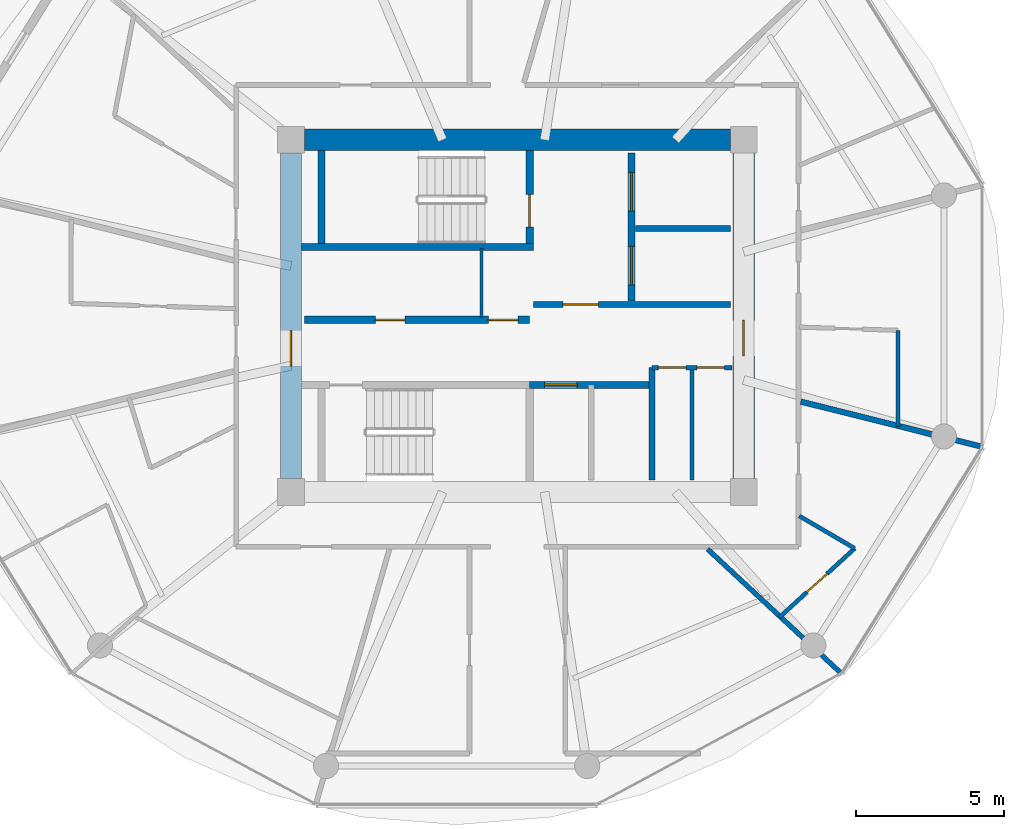
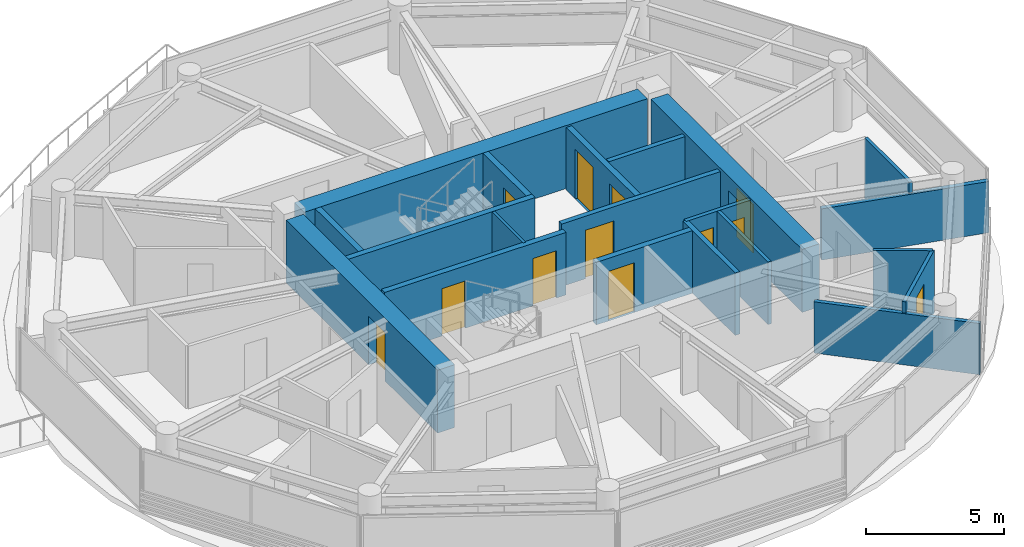
# One storey, part 17 of 22: 20 walls, 12 doors, 12 openings.
"""IFC4 building model written with IfcOpenShell, lengths in metres."""

from ifc_helpers import new_model, si_unit, direction, frame, frame_2d, origin, place, context, subcontext, project, spatial, rectangle, extrude, source, transform, mapped, material, layer, layer_set, type_object, type_shapes, element, fill, save


model = new_model("IFC4")

# Units and contexts
model_context = context("Model", 3, precision=1e-05, world=origin(), true_north=direction((0.0, 1.0)))
body_context = subcontext(model_context, "Body", "Model", "MODEL_VIEW")
ifc_project = project(units=[si_unit("LENGTHUNIT", "METRE"), si_unit("AREAUNIT", "SQUARE_METRE"), si_unit("VOLUMEUNIT", "CUBIC_METRE"), si_unit("PLANEANGLEUNIT", "RADIAN"), si_unit("MASSUNIT", "GRAM", prefix="KILO")], contexts=[model_context])

# Site, building, storey
site_placement = place(None, origin())
site = spatial("IfcSite", under=ifc_project, at=site_placement, CompositionType="ELEMENT")
building_placement = place(site_placement, origin())
building = spatial("IfcBuilding", under=site, at=building_placement, Name="Norrkilde Senior Care Towers", CompositionType="ELEMENT")
storey_placement = place(building_placement, frame((0.0, 0.0, 123.699951171875)))
storey = spatial("IfcBuildingStorey", under=building, at=storey_placement, Name="L38", CompositionType="ELEMENT", Elevation=123.699951171875)

# Wall
ifc_material_1 = material(Name="Concrete C60/75", Category="concrete")
ifc_layer_1 = layer(ifc_material_1, 0.719970703125)
ifc_layer_set_1 = layer_set([ifc_layer_1], Name="Concrete C60/75")
wall_type_1 = type_object("IfcWallType", Name="Core Shear Wall Z2 720", PredefinedType="SHEAR", material=ifc_layer_set_1)
shared_shape_1 = source(origin(), body_context, "Body", "SweptSolid", [
    extrude(rectangle(XDim=14.39990234375, YDim=0.719970703125, at=frame_2d((7.199951171875, 0.0))), origin(), (0.0, 0.0, 1.0), 2.7900390625),
])
wall_1_placement = place(storey_placement, frame((20.800048828125, 5.949951171875, 0.0), z_axis=(0.0, 0.0, 1.0), x_axis=(1.0, 0.0, 0.0)))
element("IfcWall", 1, at=wall_1_placement, inside=storey, type_object=wall_type_1, Name="L38 Core E North Shear Wall", PredefinedType="SHEAR", context=body_context, shape_type="MappedRepresentation", body=[
    mapped(shared_shape_1, transform((0.0, 0.0, 0.0), x_axis=(1.0, 0.0, 0.0), y_axis=(0.0, 1.0, 0.0), z_axis=(0.0, 0.0, 1.0), scale=1.0)),
])

# Wall, opening, door
shared_shape_2 = source(origin(), body_context, "Body", "SweptSolid", [
    extrude(rectangle(XDim=11.0, YDim=0.719970703125, at=frame_2d((5.5, 0.0))), origin(), (0.0, 0.0, 1.0), 2.7900390625),
])
type_shapes(wall_type_1, [shared_shape_1, shared_shape_2])
wall_2_placement = place(storey_placement, frame((20.35009765625, -5.5, 0.0), z_axis=(0.0, 0.0, 1.0), x_axis=(0.0, 1.0, 0.0)))
wall_2 = element("IfcWall", 2, at=wall_2_placement, inside=storey, type_object=wall_type_1, Name="L38 Core E West Shear Wall", PredefinedType="SHEAR", context=body_context, shape_type="MappedRepresentation", body=[
    mapped(shared_shape_2, transform((0.0, 0.0, 0.0), x_axis=(1.0, 0.0, 0.0), y_axis=(0.0, 1.0, 0.0), z_axis=(0.0, 0.0, 1.0), scale=1.0)),
])
opening_1_placement = place(wall_2_placement, frame((3.800048828125, 0.0, 0.0)))
opening_1 = element("IfcOpeningElement", 3, at=opening_1_placement, cuts=wall_2, Name="Opening D-04", PredefinedType="OPENING", context=body_context, shape_type="SweptSolid", body=[
    extrude(rectangle(XDim=1.199951171875, YDim=2.14990234375, at=frame_2d((0.60009765625, 1.074951171875))), frame((0.0, 0.369873046875, 0.0), z_axis=(0.0, -1.0, 0.0), x_axis=(1.0, 0.0, 0.0)), (0.0, 0.0, 1.0), 0.739990234375),
])
ifc_material_2 = material(Name="Galvanised Painted Steel", Category="steel")
door_type_1 = type_object("IfcDoorType", Name="Firefighting Lobby Fire Door 1200x2150", OperationType="NOTDEFINED", PredefinedType="DOOR", material=ifc_material_2)
shared_shape_3 = source(origin(), body_context, "Body", "SweptSolid", [
    extrude(rectangle(XDim=1.199951171875, YDim=2.14990234375, at=frame_2d((0.60009765625, 1.074951171875))), frame((0.0, 0.02490234375, 0.0), z_axis=(0.0, -1.0, 0.0), x_axis=(1.0, 0.0, 0.0)), (0.0, 0.0, 1.0), 0.050048828125),
])
type_shapes(door_type_1, [shared_shape_3])
door_1_placement = place(opening_1_placement, frame((1.199951171875, 0.0, 0.0), z_axis=(0.0, 0.0, 1.0), x_axis=(-1.0, 0.0, 0.0)))
door_1 = element("IfcDoor", 4, at=door_1_placement, inside=storey, type_object=door_type_1, Name="L38 Core E West Portal Door", OperationType="SINGLE_SWING_LEFT", OverallHeight=2.14990234375, OverallWidth=1.199951171875, PredefinedType="DOOR", context=body_context, shape_type="MappedRepresentation", body=[
    mapped(shared_shape_3, transform((0.0, 0.0, 0.0), x_axis=(1.0, 0.0, 0.0), y_axis=(0.0, 1.0, 0.0), z_axis=(0.0, 0.0, 1.0), scale=1.0)),
])
fill(opening_1, door_1)

wall_3_placement = place(storey_placement, frame((35.64990234375, 5.5, 0.0), z_axis=(0.0, 0.0, 1.0), x_axis=(0.0, -1.0, 0.0)))
wall_3 = element("IfcWall", 5, at=wall_3_placement, inside=storey, type_object=wall_type_1, Name="L38 Core E East Shear Wall", PredefinedType="SHEAR", context=body_context, shape_type="MappedRepresentation", body=[
    mapped(shared_shape_2, transform((0.0, 0.0, 0.0), x_axis=(1.0, 0.0, 0.0), y_axis=(0.0, 1.0, 0.0), z_axis=(0.0, 0.0, 1.0), scale=1.0)),
])
opening_2_placement = place(wall_3_placement, frame((5.64990234375, 0.0, 0.0)))
opening_2 = element("IfcOpeningElement", 6, at=opening_2_placement, cuts=wall_3, Name="Opening D-04", PredefinedType="OPENING", context=body_context, shape_type="SweptSolid", body=[
    extrude(rectangle(XDim=1.199951171875, YDim=2.14990234375, at=frame_2d((0.60009765625, 1.074951171875))), frame((0.0, 0.369873046875, 0.0), z_axis=(0.0, -1.0, 0.0), x_axis=(1.0, 0.0, 0.0)), (0.0, 0.0, 1.0), 0.739990234375),
])
door_2_placement = place(opening_2_placement, frame((1.199951171875, 0.0, 0.0), z_axis=(0.0, 0.0, 1.0), x_axis=(-1.0, 0.0, 0.0)))
door_2 = element("IfcDoor", 7, at=door_2_placement, inside=storey, type_object=door_type_1, Name="L38 Core E East Portal Door", OperationType="SINGLE_SWING_RIGHT", OverallHeight=2.14990234375, OverallWidth=1.199951171875, PredefinedType="DOOR", context=body_context, shape_type="MappedRepresentation", body=[
    mapped(shared_shape_3, transform((0.0, 0.0, 0.0), x_axis=(1.0, 0.0, 0.0), y_axis=(0.0, 1.0, 0.0), z_axis=(0.0, 0.0, 1.0), scale=1.0)),
])
fill(opening_2, door_2)

# Wall, openings, doors
ifc_material_3 = material(Name="Concrete C45/55", Category="concrete")
ifc_layer_2 = layer(ifc_material_3, 0.239990234375)
ifc_layer_set_2 = layer_set([ifc_layer_2], Name="Concrete C45/55")
wall_type_2 = type_object("IfcWallType", Name="Lift and Plant Rated Enclosure Partition 240", PredefinedType="PARTITIONING", material=ifc_layer_set_2)
shared_shape_4 = source(origin(), body_context, "Body", "SweptSolid", [
    extrude(rectangle(XDim=5.0, YDim=0.239990234375, at=frame_2d((2.5, 0.0))), origin(), (0.0, 0.0, 1.0), 2.775146484375),
])
wall_4_placement = place(storey_placement, frame((31.860107421875, 0.5, 0.0), z_axis=(0.0, 0.0, 1.0), x_axis=(0.0, 1.0, 0.0)))
wall_4 = element("IfcWall", 8, at=wall_4_placement, inside=storey, type_object=wall_type_2, Name="WL-INT-L38-E-FFLE", PredefinedType="PARTITIONING", context=body_context, shape_type="MappedRepresentation", body=[
    mapped(shared_shape_4, transform((0.0, 0.0, 0.0), x_axis=(1.0, 0.0, 0.0), y_axis=(0.0, 1.0, 0.0), z_axis=(0.0, 0.0, 1.0), scale=1.0)),
])
opening_3_placement = place(wall_4_placement, frame((3.050048828125, 0.0, 0.0)))
opening_3 = element("IfcOpeningElement", 9, at=opening_3_placement, cuts=wall_4, Name="Opening LD-02", PredefinedType="OPENING", context=body_context, shape_type="SweptSolid", body=[
    extrude(rectangle(XDim=1.300048828125, YDim=2.199951171875, at=frame_2d((0.64990234375, 1.10009765625))), frame((0.0, 0.1298828125, 0.0), z_axis=(0.0, -1.0, 0.0), x_axis=(1.0, 0.0, 0.0)), (0.0, 0.0, 1.0), 0.260009765625),
])
opening_4_placement = place(wall_4_placement, frame((0.550048828125, 0.0, 0.0)))
opening_4 = element("IfcOpeningElement", 10, at=opening_4_placement, cuts=wall_4, Name="Opening LD-02", PredefinedType="OPENING", context=body_context, shape_type="SweptSolid", body=[
    extrude(rectangle(XDim=1.300048828125, YDim=2.199951171875, at=frame_2d((0.64990234375, 1.10009765625))), frame((0.0, 0.1298828125, 0.0), z_axis=(0.0, -1.0, 0.0), x_axis=(1.0, 0.0, 0.0)), (0.0, 0.0, 1.0), 0.260009765625),
])
ifc_material_4 = material(Name="Stainless Steel", Category="steel")
door_type_2 = type_object("IfcDoorType", Name="Stretcher and FFL Landing Sliding Door 1300x2200", OperationType="NOTDEFINED", PredefinedType="DOOR", material=ifc_material_4)
shared_shape_5 = source(origin(), body_context, "Body", "SweptSolid", [
    extrude(rectangle(XDim=1.300048828125, YDim=2.199951171875, at=frame_2d((0.64990234375, 1.10009765625))), frame((0.0, 0.02490234375, 0.0), z_axis=(0.0, -1.0, 0.0), x_axis=(1.0, 0.0, 0.0)), (0.0, 0.0, 1.0), 0.050048828125),
])
type_shapes(door_type_2, [shared_shape_5])
door_3_placement = place(opening_3_placement, origin())
door_3 = element("IfcDoor", 11, at=door_3_placement, inside=storey, type_object=door_type_2, Name="L38 Firefighting Lift E1 Landing Door", OperationType="SLIDING_TO_LEFT", OverallHeight=2.199951171875, OverallWidth=1.300048828125, PredefinedType="DOOR", context=body_context, shape_type="MappedRepresentation", body=[
    mapped(shared_shape_5, transform((0.0, 0.0, 0.0), x_axis=(1.0, 0.0, 0.0), y_axis=(0.0, 1.0, 0.0), z_axis=(0.0, 0.0, 1.0), scale=1.0)),
])
fill(opening_3, door_3)
door_4_placement = place(opening_4_placement, origin())
door_4 = element("IfcDoor", 12, at=door_4_placement, inside=storey, type_object=door_type_2, Name="L38 Stretcher Lift E1 Landing Door", OperationType="SLIDING_TO_RIGHT", OverallHeight=2.199951171875, OverallWidth=1.300048828125, PredefinedType="DOOR", context=body_context, shape_type="MappedRepresentation", body=[
    mapped(shared_shape_5, transform((0.0, 0.0, 0.0), x_axis=(1.0, 0.0, 0.0), y_axis=(0.0, 1.0, 0.0), z_axis=(0.0, 0.0, 1.0), scale=1.0)),
])
fill(opening_4, door_4)

# Wall
ifc_layer_3 = layer(ifc_material_3, 0.199951171875)
ifc_layer_set_3 = layer_set([ifc_layer_3], Name="Concrete C45/55")
wall_type_3 = type_object("IfcWallType", Name="Shaft Division and Plant Partition 200", PredefinedType="PARTITIONING", material=ifc_layer_set_3)
shared_shape_6 = source(origin(), body_context, "Body", "SweptSolid", [
    extrude(rectangle(XDim=3.199951171875, YDim=0.199951171875, at=frame_2d((1.60009765625, 0.0))), origin(), (0.0, 0.0, 1.0), 2.775146484375),
])
wall_5_placement = place(storey_placement, frame((32.0, 2.949951171875, 0.0), z_axis=(0.0, 0.0, 1.0), x_axis=(1.0, 0.0, 0.0)))
element("IfcWall", 13, at=wall_5_placement, inside=storey, type_object=wall_type_3, Name="WL-INT-L38-E-FFLDIV", PredefinedType="PARTITIONING", context=body_context, shape_type="MappedRepresentation", body=[
    mapped(shared_shape_6, transform((0.0, 0.0, 0.0), x_axis=(1.0, 0.0, 0.0), y_axis=(0.0, 1.0, 0.0), z_axis=(0.0, 0.0, 1.0), scale=1.0)),
])

# Wall, opening, door
ifc_layer_4 = layer(ifc_material_3, 0.2099609375)
ifc_layer_set_4 = layer_set([ifc_layer_4], Name="Concrete C45/55")
wall_type_4 = type_object("IfcWallType", Name="Firefighting Lobby Wall 210", PredefinedType="PARTITIONING", material=ifc_layer_set_4)
shared_shape_7 = source(origin(), body_context, "Body", "SweptSolid", [
    extrude(rectangle(XDim=6.659912109375, YDim=0.2099609375, at=frame_2d((3.330078125, 0.0))), origin(), (0.0, 0.0, 1.0), 2.775146484375),
])
type_shapes(wall_type_4, [shared_shape_7])
wall_6_placement = place(storey_placement, frame((28.5400390625, 0.389892578125, 0.0), z_axis=(0.0, 0.0, 1.0), x_axis=(1.0, 0.0, 0.0)))
wall_6 = element("IfcWall", 14, at=wall_6_placement, inside=storey, type_object=wall_type_4, Name="WL-INT-L38-E-FFLS", PredefinedType="PARTITIONING", context=body_context, shape_type="MappedRepresentation", body=[
    mapped(shared_shape_7, transform((0.0, 0.0, 0.0), x_axis=(1.0, 0.0, 0.0), y_axis=(0.0, 1.0, 0.0), z_axis=(0.0, 0.0, 1.0), scale=1.0)),
])
opening_5_placement = place(wall_6_placement, frame((1.0, 0.0, 0.0)))
opening_5 = element("IfcOpeningElement", 15, at=opening_5_placement, cuts=wall_6, Name="Opening D-04", PredefinedType="OPENING", context=body_context, shape_type="SweptSolid", body=[
    extrude(rectangle(XDim=1.199951171875, YDim=2.14990234375, at=frame_2d((0.60009765625, 1.074951171875))), frame((0.0, 0.114990234375, 0.0), z_axis=(0.0, -1.0, 0.0), x_axis=(1.0, 0.0, 0.0)), (0.0, 0.0, 1.0), 0.22998046875),
])
door_5_placement = place(opening_5_placement, frame((1.199951171875, 0.0, 0.0), z_axis=(0.0, 0.0, 1.0), x_axis=(-1.0, 0.0, 0.0)))
door_5 = element("IfcDoor", 16, at=door_5_placement, inside=storey, type_object=door_type_1, Name="L38 Firefighting Lobby E Door", OperationType="SINGLE_SWING_LEFT", OverallHeight=2.14990234375, OverallWidth=1.199951171875, PredefinedType="DOOR", context=body_context, shape_type="MappedRepresentation", body=[
    mapped(shared_shape_3, transform((0.0, 0.0, 0.0), x_axis=(1.0, 0.0, 0.0), y_axis=(0.0, 1.0, 0.0), z_axis=(0.0, 0.0, 1.0), scale=1.0)),
])
fill(opening_5, door_5)

# Wall, openings, doors
shared_shape_8 = source(origin(), body_context, "Body", "SweptSolid", [
    extrude(rectangle(XDim=7.619873046875, YDim=0.239990234375, at=frame_2d((3.81005859375, 0.0))), origin(), (0.0, 0.0, 1.0), 2.775146484375),
])
wall_7_placement = place(storey_placement, frame((20.800048828125, -0.1298828125, 0.0), z_axis=(0.0, 0.0, 1.0), x_axis=(1.0, 0.0, 0.0)))
wall_7 = element("IfcWall", 17, at=wall_7_placement, inside=storey, type_object=wall_type_2, Name="WL-INT-L38-E-PKAS", PredefinedType="PARTITIONING", context=body_context, shape_type="MappedRepresentation", body=[
    mapped(shared_shape_8, transform((0.0, 0.0, 0.0), x_axis=(1.0, 0.0, 0.0), y_axis=(0.0, 1.0, 0.0), z_axis=(0.0, 0.0, 1.0), scale=1.0)),
])
opening_6_placement = place(wall_7_placement, frame((6.219970703125, 0.0, 0.0)))
opening_6 = element("IfcOpeningElement", 18, at=opening_6_placement, cuts=wall_7, Name="Opening D-10", PredefinedType="OPENING", context=body_context, shape_type="SweptSolid", body=[
    extrude(rectangle(XDim=1.0, YDim=2.10009765625, at=frame_2d((0.5, 1.050048828125))), frame((0.0, 0.1298828125, 0.0), z_axis=(0.0, -1.0, 0.0), x_axis=(1.0, 0.0, 0.0)), (0.0, 0.0, 1.0), 0.260009765625),
])
opening_7_placement = place(wall_7_placement, frame((2.39990234375, 0.0, 0.0)))
opening_7 = element("IfcOpeningElement", 19, at=opening_7_placement, cuts=wall_7, Name="Opening D-10", PredefinedType="OPENING", context=body_context, shape_type="SweptSolid", body=[
    extrude(rectangle(XDim=1.0, YDim=2.10009765625, at=frame_2d((0.5, 1.050048828125))), frame((0.0, 0.1298828125, 0.0), z_axis=(0.0, -1.0, 0.0), x_axis=(1.0, 0.0, 0.0)), (0.0, 0.0, 1.0), 0.260009765625),
])
door_type_3 = type_object("IfcDoorType", Name="Plant and Riser Rated Door 1000x2100", OperationType="NOTDEFINED", PredefinedType="DOOR", material=ifc_material_2)
shared_shape_9 = source(origin(), body_context, "Body", "SweptSolid", [
    extrude(rectangle(XDim=1.0, YDim=2.10009765625, at=frame_2d((0.5, 1.050048828125))), frame((0.0, 0.02490234375, 0.0), z_axis=(0.0, -1.0, 0.0), x_axis=(1.0, 0.0, 0.0)), (0.0, 0.0, 1.0), 0.050048828125),
])
type_shapes(door_type_3, [shared_shape_9])
door_6_placement = place(opening_6_placement, frame((1.0, 0.0, 0.0), z_axis=(0.0, 0.0, 1.0), x_axis=(-1.0, 0.0, 0.0)))
door_6 = element("IfcDoor", 20, at=door_6_placement, inside=storey, type_object=door_type_3, Name="L38 Electrical Riser E Door", OperationType="SINGLE_SWING_LEFT", OverallHeight=2.10009765625, OverallWidth=1.0, PredefinedType="DOOR", context=body_context, shape_type="MappedRepresentation", body=[
    mapped(shared_shape_9, transform((0.0, 0.0, 0.0), x_axis=(1.0, 0.0, 0.0), y_axis=(0.0, 1.0, 0.0), z_axis=(0.0, 0.0, 1.0), scale=1.0)),
])
fill(opening_6, door_6)
door_7_placement = place(opening_7_placement, frame((1.0, 0.0, 0.0), z_axis=(0.0, 0.0, 1.0), x_axis=(-1.0, 0.0, 0.0)))
door_7 = element("IfcDoor", 21, at=door_7_placement, inside=storey, type_object=door_type_3, Name="L38 Clean Supply Store E Door", OperationType="SINGLE_SWING_LEFT", OverallHeight=2.10009765625, OverallWidth=1.0, PredefinedType="DOOR", context=body_context, shape_type="MappedRepresentation", body=[
    mapped(shared_shape_9, transform((0.0, 0.0, 0.0), x_axis=(1.0, 0.0, 0.0), y_axis=(0.0, 1.0, 0.0), z_axis=(0.0, 0.0, 1.0), scale=1.0)),
])
fill(opening_7, door_7)

# Walls
ifc_material_5 = material(Name="Gypsum Acoustic Board")
ifc_layer_5 = layer(ifc_material_5, 0.114990234375)
ifc_layer_set_5 = layer_set([ifc_layer_5], Name="Gypsum Acoustic Board")
wall_type_5 = type_object("IfcWallType", Name="Internal Room Partition 115", PredefinedType="PARTITIONING", material=ifc_layer_set_5)
shared_shape_10 = source(origin(), body_context, "Body", "SweptSolid", [
    extrude(rectangle(XDim=2.330078125, YDim=0.114990234375, at=frame_2d((1.1650390625, 0.0))), origin(), (0.0, 0.0, 1.0), 2.775146484375),
])
type_shapes(wall_type_5, [shared_shape_10])
wall_8_placement = place(storey_placement, frame((26.7900390625, -0.050048828125, 0.0), z_axis=(0.0, 0.0, 1.0), x_axis=(0.0, 1.0, 0.0)))
element("IfcWall", 22, at=wall_8_placement, inside=storey, type_object=wall_type_5, Name="WL-INT-L38-E-RISW", PredefinedType="PARTITIONING", context=body_context, shape_type="MappedRepresentation", body=[
    mapped(shared_shape_10, transform((0.0, 0.0, 0.0), x_axis=(1.0, 0.0, 0.0), y_axis=(0.0, 1.0, 0.0), z_axis=(0.0, 0.0, 1.0), scale=1.0)),
])
shared_shape_11 = source(origin(), body_context, "Body", "SweptSolid", [
    extrude(rectangle(XDim=3.800048828125, YDim=0.199951171875, at=frame_2d((1.89990234375, 0.0))), origin(), (0.0, 0.0, 1.0), 2.775146484375),
])
type_shapes(wall_type_3, [shared_shape_6, shared_shape_11])
wall_9_placement = place(storey_placement, frame((32.550048828125, -5.550048828125, 0.0), z_axis=(0.0, 0.0, 1.0), x_axis=(0.0, 1.0, 0.0)))
element("IfcWall", 23, at=wall_9_placement, inside=storey, type_object=wall_type_3, Name="WL-INT-L38-E-PKBE", PredefinedType="PARTITIONING", context=body_context, shape_type="MappedRepresentation", body=[
    mapped(shared_shape_11, transform((0.0, 0.0, 0.0), x_axis=(1.0, 0.0, 0.0), y_axis=(0.0, 1.0, 0.0), z_axis=(0.0, 0.0, 1.0), scale=1.0)),
])

# Wall, opening, door
shared_shape_12 = source(origin(), body_context, "Body", "SweptSolid", [
    extrude(rectangle(XDim=4.130126953125, YDim=0.239990234375, at=frame_2d((2.06494140625, 0.0))), origin(), (0.0, 0.0, 1.0), 2.775146484375),
])
type_shapes(wall_type_2, [shared_shape_4, shared_shape_8, shared_shape_12])
wall_10_placement = place(storey_placement, frame((28.419921875, -2.330078125, 0.0), z_axis=(0.0, 0.0, 1.0), x_axis=(1.0, 0.0, 0.0)))
wall_10 = element("IfcWall", 24, at=wall_10_placement, inside=storey, type_object=wall_type_2, Name="WL-INT-L38-E-PKBN", PredefinedType="PARTITIONING", context=body_context, shape_type="MappedRepresentation", body=[
    mapped(shared_shape_12, transform((0.0, 0.0, 0.0), x_axis=(1.0, 0.0, 0.0), y_axis=(0.0, 1.0, 0.0), z_axis=(0.0, 0.0, 1.0), scale=1.0)),
])
opening_8_placement = place(wall_10_placement, frame((0.5, 0.0, 0.0)))
opening_8 = element("IfcOpeningElement", 25, at=opening_8_placement, cuts=wall_10, Name="Opening LD-01", PredefinedType="OPENING", context=body_context, shape_type="SweptSolid", body=[
    extrude(rectangle(XDim=1.10009765625, YDim=2.199951171875, at=frame_2d((0.550048828125, 1.10009765625))), frame((0.0, 0.1298828125, 0.0), z_axis=(0.0, -1.0, 0.0), x_axis=(1.0, 0.0, 0.0)), (0.0, 0.0, 1.0), 0.260009765625),
])
door_type_4 = type_object("IfcDoorType", Name="Lift Landing Sliding Door 1100x2200", OperationType="NOTDEFINED", PredefinedType="DOOR", material=ifc_material_4)
shared_shape_13 = source(origin(), body_context, "Body", "SweptSolid", [
    extrude(rectangle(XDim=1.10009765625, YDim=2.199951171875, at=frame_2d((0.550048828125, 1.10009765625))), frame((0.0, 0.02490234375, 0.0), z_axis=(0.0, -1.0, 0.0), x_axis=(1.0, 0.0, 0.0)), (0.0, 0.0, 1.0), 0.050048828125),
])
type_shapes(door_type_4, [shared_shape_13])
door_8_placement = place(opening_8_placement, frame((1.10009765625, 0.0, 0.0), z_axis=(0.0, 0.0, 1.0), x_axis=(-1.0, 0.0, 0.0)))
door_8 = element("IfcDoor", 26, at=door_8_placement, inside=storey, type_object=door_type_4, Name="L38 Passenger Lift E3 Landing Door", OperationType="SLIDING_TO_LEFT", OverallHeight=2.199951171875, OverallWidth=1.10009765625, PredefinedType="DOOR", context=body_context, shape_type="MappedRepresentation", body=[
    mapped(shared_shape_13, transform((0.0, 0.0, 0.0), x_axis=(1.0, 0.0, 0.0), y_axis=(0.0, 1.0, 0.0), z_axis=(0.0, 0.0, 1.0), scale=1.0)),
])
fill(opening_8, door_8)

# Wall, openings, doors
ifc_layer_6 = layer(ifc_material_5, 0.1650390625)
ifc_layer_set_6 = layer_set([ifc_layer_6], Name="Gypsum Acoustic Board")
wall_type_6 = type_object("IfcWallType", Name="Corridor Rated Partition 165", PredefinedType="PARTITIONING", material=ifc_layer_set_6)
shared_shape_14 = source(origin(), body_context, "Body", "SweptSolid", [
    extrude(rectangle(XDim=2.699951171875, YDim=0.1650390625, at=frame_2d((1.35009765625, 0.0))), origin(), (0.0, 0.0, 1.0), 2.775146484375),
])
wall_11_placement = place(storey_placement, frame((32.550048828125, -1.75, 0.0), z_axis=(0.0, 0.0, 1.0), x_axis=(1.0, 0.0, 0.0)))
wall_11 = element("IfcWall", 27, at=wall_11_placement, inside=storey, type_object=wall_type_6, Name="WL-INT-L38-E-CSN", PredefinedType="PARTITIONING", context=body_context, shape_type="MappedRepresentation", body=[
    mapped(shared_shape_14, transform((0.0, 0.0, 0.0), x_axis=(1.0, 0.0, 0.0), y_axis=(0.0, 1.0, 0.0), z_axis=(0.0, 0.0, 1.0), scale=1.0)),
])
opening_9_placement = place(wall_11_placement, frame((0.222412109375, 0.0, 0.0)))
opening_9 = element("IfcOpeningElement", 28, at=opening_9_placement, cuts=wall_11, Name="Opening D-12", PredefinedType="OPENING", context=body_context, shape_type="SweptSolid", body=[
    extrude(rectangle(XDim=0.925048828125, YDim=2.10009765625, at=frame_2d((0.46240234375, 1.050048828125))), frame((0.0, 0.092529296875, 0.0), z_axis=(0.0, -1.0, 0.0), x_axis=(1.0, 0.0, 0.0)), (0.0, 0.0, 1.0), 0.18505859375),
])
opening_10_placement = place(wall_11_placement, frame((1.5224609375, 0.0, 0.0)))
opening_10 = element("IfcOpeningElement", 29, at=opening_10_placement, cuts=wall_11, Name="Opening D-12", PredefinedType="OPENING", context=body_context, shape_type="SweptSolid", body=[
    extrude(rectangle(XDim=0.925048828125, YDim=2.10009765625, at=frame_2d((0.46240234375, 1.050048828125))), frame((0.0, 0.092529296875, 0.0), z_axis=(0.0, -1.0, 0.0), x_axis=(1.0, 0.0, 0.0)), (0.0, 0.0, 1.0), 0.18505859375),
])
door_type_5 = type_object("IfcDoorType", Name="Core Wet Room Rated Door 925x2100", OperationType="NOTDEFINED", PredefinedType="DOOR", material=ifc_material_2)
shared_shape_15 = source(origin(), body_context, "Body", "SweptSolid", [
    extrude(rectangle(XDim=0.925048828125, YDim=2.10009765625, at=frame_2d((0.46240234375, 1.050048828125))), frame((0.0, 0.02490234375, 0.0), z_axis=(0.0, -1.0, 0.0), x_axis=(1.0, 0.0, 0.0)), (0.0, 0.0, 1.0), 0.050048828125),
])
type_shapes(door_type_5, [shared_shape_15])
door_9_placement = place(opening_9_placement, origin())
door_9 = element("IfcDoor", 30, at=door_9_placement, inside=storey, type_object=door_type_5, Name="L38 Staff Accessible WC E Door", OperationType="SINGLE_SWING_LEFT", OverallHeight=2.10009765625, OverallWidth=0.925048828125, PredefinedType="DOOR", context=body_context, shape_type="MappedRepresentation", body=[
    mapped(shared_shape_15, transform((0.0, 0.0, 0.0), x_axis=(1.0, 0.0, 0.0), y_axis=(0.0, 1.0, 0.0), z_axis=(0.0, 0.0, 1.0), scale=1.0)),
])
fill(opening_9, door_9)
door_10_placement = place(opening_10_placement, origin())
door_10 = element("IfcDoor", 31, at=door_10_placement, inside=storey, type_object=door_type_5, Name="L38 Housekeeping Store E Door", OperationType="SINGLE_SWING_RIGHT", OverallHeight=2.10009765625, OverallWidth=0.925048828125, PredefinedType="DOOR", context=body_context, shape_type="MappedRepresentation", body=[
    mapped(shared_shape_15, transform((0.0, 0.0, 0.0), x_axis=(1.0, 0.0, 0.0), y_axis=(0.0, 1.0, 0.0), z_axis=(0.0, 0.0, 1.0), scale=1.0)),
])
fill(opening_10, door_10)

# Walls
ifc_layer_7 = layer(ifc_material_3, 0.239990234375)
ifc_layer_set_7 = layer_set([ifc_layer_7], Name="Concrete C45/55")
wall_type_7 = type_object("IfcWallType", Name="Shaft and Stair Enclosure Wall 240", PredefinedType="PARTITIONING", material=ifc_layer_set_7)
shared_shape_16 = source(origin(), body_context, "Body", "SweptSolid", [
    extrude(rectangle(XDim=7.830078125, YDim=0.239990234375, at=frame_2d((3.9150390625, 0.0))), origin(), (0.0, 0.0, 1.0), 2.7900390625),
])
wall_12_placement = place(storey_placement, frame((20.7099609375, 2.330078125, 0.0), z_axis=(0.0, 0.0, 1.0), x_axis=(1.0, 0.0, 0.0)))
element("IfcWall", 32, at=wall_12_placement, inside=storey, type_object=wall_type_7, Name="WL-INT-L38-E-ST1S", PredefinedType="PARTITIONING", context=body_context, shape_type="MappedRepresentation", body=[
    mapped(shared_shape_16, transform((0.0, 0.0, 0.0), x_axis=(1.0, 0.0, 0.0), y_axis=(0.0, 1.0, 0.0), z_axis=(0.0, 0.0, 1.0), scale=1.0)),
])
shared_shape_17 = source(origin(), body_context, "Body", "SweptSolid", [
    extrude(rectangle(XDim=3.14013671875, YDim=0.239990234375, at=frame_2d((1.570068359375, 0.0))), origin(), (0.0, 0.0, 1.0), 2.7900390625),
])
type_shapes(wall_type_7, [shared_shape_16, shared_shape_17])
wall_13_placement = place(storey_placement, frame((21.3798828125, 2.449951171875, 0.0), z_axis=(0.0, 0.0, 1.0), x_axis=(0.0, 1.0, 0.0)))
element("IfcWall", 33, at=wall_13_placement, inside=storey, type_object=wall_type_7, Name="WL-INT-L38-E-ST1W", PredefinedType="PARTITIONING", context=body_context, shape_type="MappedRepresentation", body=[
    mapped(shared_shape_17, transform((0.0, 0.0, 0.0), x_axis=(1.0, 0.0, 0.0), y_axis=(0.0, 1.0, 0.0), z_axis=(0.0, 0.0, 1.0), scale=1.0)),
])

# Wall, opening, door
wall_14_placement = place(storey_placement, frame((28.419921875, 2.449951171875, 0.0), z_axis=(0.0, 0.0, 1.0), x_axis=(0.0, 1.0, 0.0)))
wall_14 = element("IfcWall", 34, at=wall_14_placement, inside=storey, type_object=wall_type_7, Name="WL-INT-L38-E-ST1E", PredefinedType="PARTITIONING", context=body_context, shape_type="MappedRepresentation", body=[
    mapped(shared_shape_17, transform((0.0, 0.0, 0.0), x_axis=(1.0, 0.0, 0.0), y_axis=(0.0, 1.0, 0.0), z_axis=(0.0, 0.0, 1.0), scale=1.0)),
])
opening_11_placement = place(wall_14_placement, frame((0.550048828125, 0.0, 0.0)))
opening_11 = element("IfcOpeningElement", 35, at=opening_11_placement, cuts=wall_14, Name="Opening D-03", PredefinedType="OPENING", context=body_context, shape_type="SweptSolid", body=[
    extrude(rectangle(XDim=1.10009765625, YDim=2.14990234375, at=frame_2d((0.550048828125, 1.074951171875))), frame((0.0, 0.1298828125, 0.0), z_axis=(0.0, -1.0, 0.0), x_axis=(1.0, 0.0, 0.0)), (0.0, 0.0, 1.0), 0.260009765625),
])
door_type_6 = type_object("IfcDoorType", Name="Stairwell Protected Fire Door 1100x2150", OperationType="NOTDEFINED", PredefinedType="DOOR", material=ifc_material_2)
shared_shape_18 = source(origin(), body_context, "Body", "SweptSolid", [
    extrude(rectangle(XDim=1.10009765625, YDim=2.14990234375, at=frame_2d((0.550048828125, 1.074951171875))), frame((0.0, 0.02490234375, 0.0), z_axis=(0.0, -1.0, 0.0), x_axis=(1.0, 0.0, 0.0)), (0.0, 0.0, 1.0), 0.050048828125),
])
type_shapes(door_type_6, [shared_shape_18])
door_11_placement = place(opening_11_placement, origin())
door_11 = element("IfcDoor", 36, at=door_11_placement, inside=storey, type_object=door_type_6, Name="L38 Stair E1 Fire Door", OperationType="SINGLE_SWING_LEFT", OverallHeight=2.14990234375, OverallWidth=1.10009765625, PredefinedType="DOOR", context=body_context, shape_type="MappedRepresentation", body=[
    mapped(shared_shape_18, transform((0.0, 0.0, 0.0), x_axis=(1.0, 0.0, 0.0), y_axis=(0.0, 1.0, 0.0), z_axis=(0.0, 0.0, 1.0), scale=1.0)),
])
fill(opening_11, door_11)

# Walls
ifc_layer_8 = layer(ifc_material_5, 0.18994140625)
ifc_layer_set_8 = layer_set([ifc_layer_8], Name="Gypsum Acoustic Board")
wall_type_8 = type_object("IfcWallType", Name="Unit Demising Acoustic Wall 190", PredefinedType="PARTITIONING", material=ifc_layer_set_8)
shared_shape_19 = source(origin(), body_context, "Body", "SweptSolid", [
    extrude(rectangle(XDim=6.33056640625, YDim=0.18994140625, at=frame_2d((3.165283203125, 0.0))), origin(), (0.0, 0.0, 1.0), 2.275146484375),
])
type_shapes(wall_type_8, [shared_shape_19])
wall_15_placement = place(storey_placement, frame((37.580078125, -2.89599609375, 0.0), z_axis=(0.0, 0.0, 1.0), x_axis=(0.97036440661, -0.241646267062, 0.0)))
element("IfcWall", 37, at=wall_15_placement, inside=storey, type_object=wall_type_8, Name="WL-INT-L38-E-DEM-11-0", PredefinedType="PARTITIONING", context=body_context, shape_type="MappedRepresentation", body=[
    mapped(shared_shape_19, transform((0.0, 0.0, 0.0), x_axis=(1.0, 0.0, 0.0), y_axis=(0.0, 1.0, 0.0), z_axis=(0.0, 0.0, 1.0), scale=1.0)),
])
ifc_layer_9 = layer(ifc_material_5, 0.139892578125)
ifc_layer_set_9 = layer_set([ifc_layer_9], Name="Gypsum Acoustic Board")
wall_type_9 = type_object("IfcWallType", Name="En-suite Wet Room Wall 140", PredefinedType="PARTITIONING", material=ifc_layer_set_9)
shared_shape_20 = source(origin(), body_context, "Body", "SweptSolid", [
    extrude(rectangle(XDim=2.171630859375, YDim=0.139892578125, at=frame_2d((1.0859375, 0.0))), origin(), (0.0, 0.0, 1.0), 2.775146484375),
])
wall_16_placement = place(storey_placement, frame((37.530029296875, -6.761962890625, 0.0), z_axis=(0.0, 0.0, 1.0), x_axis=(0.863562702562, -0.504241468688, 0.0)))
element("IfcWall", 38, at=wall_16_placement, inside=storey, type_object=wall_type_9, Name="WL-INT-L38-E-ES-10", PredefinedType="PARTITIONING", context=body_context, shape_type="MappedRepresentation", body=[
    mapped(shared_shape_20, transform((0.0, 0.0, 0.0), x_axis=(1.0, 0.0, 0.0), y_axis=(0.0, 1.0, 0.0), z_axis=(0.0, 0.0, 1.0), scale=1.0)),
])
shared_shape_21 = source(origin(), body_context, "Body", "SweptSolid", [
    extrude(rectangle(XDim=3.800048828125, YDim=0.139892578125, at=frame_2d((1.89990234375, 0.0))), origin(), (0.0, 0.0, 1.0), 2.775146484375),
])
wall_17_placement = place(storey_placement, frame((33.89990234375, -5.550048828125, 0.0), z_axis=(0.0, 0.0, 1.0), x_axis=(0.0, 1.0, 0.0)))
element("IfcWall", 39, at=wall_17_placement, inside=storey, type_object=wall_type_9, Name="WL-INT-L38-E-CS1V", PredefinedType="PARTITIONING", context=body_context, shape_type="MappedRepresentation", body=[
    mapped(shared_shape_21, transform((0.0, 0.0, 0.0), x_axis=(1.0, 0.0, 0.0), y_axis=(0.0, 1.0, 0.0), z_axis=(0.0, 0.0, 1.0), scale=1.0)),
])
shared_shape_22 = source(origin(), body_context, "Body", "SweptSolid", [
    extrude(rectangle(XDim=6.186767578125, YDim=0.1650390625, at=frame_2d((3.09326171875, 0.0))), origin(), (0.0, 0.0, 1.0), 2.275146484375),
])
type_shapes(wall_type_6, [shared_shape_14, shared_shape_22])
wall_18_placement = place(storey_placement, frame((34.428955078125, -7.8798828125, 0.0), z_axis=(0.0, 0.0, 1.0), x_axis=(0.732501077882, -0.680765870841, 0.0)))
element("IfcWall", 40, at=wall_18_placement, inside=storey, type_object=wall_type_6, Name="WL-INT-L38-E-DEM-10-0", PredefinedType="PARTITIONING", context=body_context, shape_type="MappedRepresentation", body=[
    mapped(shared_shape_22, transform((0.0, 0.0, 0.0), x_axis=(1.0, 0.0, 0.0), y_axis=(0.0, 1.0, 0.0), z_axis=(0.0, 0.0, 1.0), scale=1.0)),
])

# Wall, opening, door
shared_shape_23 = source(origin(), body_context, "Body", "SweptSolid", [
    extrude(rectangle(XDim=3.456787109375, YDim=0.139892578125, at=frame_2d((1.728515625, 0.0))), origin(), (0.0, 0.0, 1.0), 2.775146484375),
])
wall_19_placement = place(storey_placement, frame((39.4052734375, -7.85693359375, 0.0), z_axis=(0.0, 0.0, 1.0), x_axis=(-0.737567375492, -0.675273549467, 0.0)))
wall_19 = element("IfcWall", 41, at=wall_19_placement, inside=storey, type_object=wall_type_9, Name="WL-INT-L38-E-EF-10", PredefinedType="PARTITIONING", context=body_context, shape_type="MappedRepresentation", body=[
    mapped(shared_shape_23, transform((0.0, 0.0, 0.0), x_axis=(1.0, 0.0, 0.0), y_axis=(0.0, 1.0, 0.0), z_axis=(0.0, 0.0, 1.0), scale=1.0)),
])
opening_12_placement = place(wall_19_placement, frame((1.268310546875, 0.0, 0.0)))
opening_12 = element("IfcOpeningElement", 42, at=opening_12_placement, cuts=wall_19, Name="Opening D-08", PredefinedType="OPENING", context=body_context, shape_type="SweptSolid", body=[
    extrude(rectangle(XDim=0.919921875, YDim=2.10009765625, at=frame_2d((0.4599609375, 1.050048828125))), frame((0.0, 0.079833984375, 0.0), z_axis=(0.0, -1.0, 0.0), x_axis=(1.0, 0.0, 0.0)), (0.0, 0.0, 1.0), 0.159912109375),
])
ifc_material_6 = material(Name="Nordic Ash Timber", Category="wood")
door_type_7 = type_object("IfcDoorType", Name="Accessible Wet Room Door 920x2100", OperationType="NOTDEFINED", PredefinedType="DOOR", material=ifc_material_6)
shared_shape_24 = source(origin(), body_context, "Body", "SweptSolid", [
    extrude(rectangle(XDim=0.919921875, YDim=2.10009765625, at=frame_2d((0.4599609375, 1.050048828125))), frame((0.0, 0.02490234375, 0.0), z_axis=(0.0, -1.0, 0.0), x_axis=(1.0, 0.0, 0.0)), (0.0, 0.0, 1.0), 0.050048828125),
])
type_shapes(door_type_7, [shared_shape_24])
door_12_placement = place(opening_12_placement, origin())
door_12 = element("IfcDoor", 43, at=door_12_placement, inside=storey, type_object=door_type_7, Name="L38 Studio 38D Bathroom Door", OperationType="SINGLE_SWING_LEFT", OverallHeight=2.10009765625, OverallWidth=0.919921875, PredefinedType="DOOR", context=body_context, shape_type="MappedRepresentation", body=[
    mapped(shared_shape_24, transform((0.0, 0.0, 0.0), x_axis=(1.0, 0.0, 0.0), y_axis=(0.0, 1.0, 0.0), z_axis=(0.0, 0.0, 1.0), scale=1.0)),
])
fill(opening_12, door_12)

# Wall
shared_shape_25 = source(origin(), body_context, "Body", "SweptSolid", [
    extrude(rectangle(XDim=3.247314453125, YDim=0.139892578125, at=frame_2d((1.62353515625, 0.0))), origin(), (0.0, 0.0, 1.0), 2.775146484375),
])
type_shapes(wall_type_9, [shared_shape_20, shared_shape_21, shared_shape_23, shared_shape_25])
wall_20_placement = place(storey_placement, frame((40.869873046875, -0.48681640625, 0.0), z_axis=(0.0, 0.0, 1.0), x_axis=(-0.002105100215, -0.999997784274, 0.0)))
element("IfcWall", 44, at=wall_20_placement, inside=storey, type_object=wall_type_9, Name="WL-INT-L38-E-EF-11", PredefinedType="PARTITIONING", context=body_context, shape_type="MappedRepresentation", body=[
    mapped(shared_shape_25, transform((0.0, 0.0, 0.0), x_axis=(1.0, 0.0, 0.0), y_axis=(0.0, 1.0, 0.0), z_axis=(0.0, 0.0, 1.0), scale=1.0)),
])

save(model, "model.ifc")
